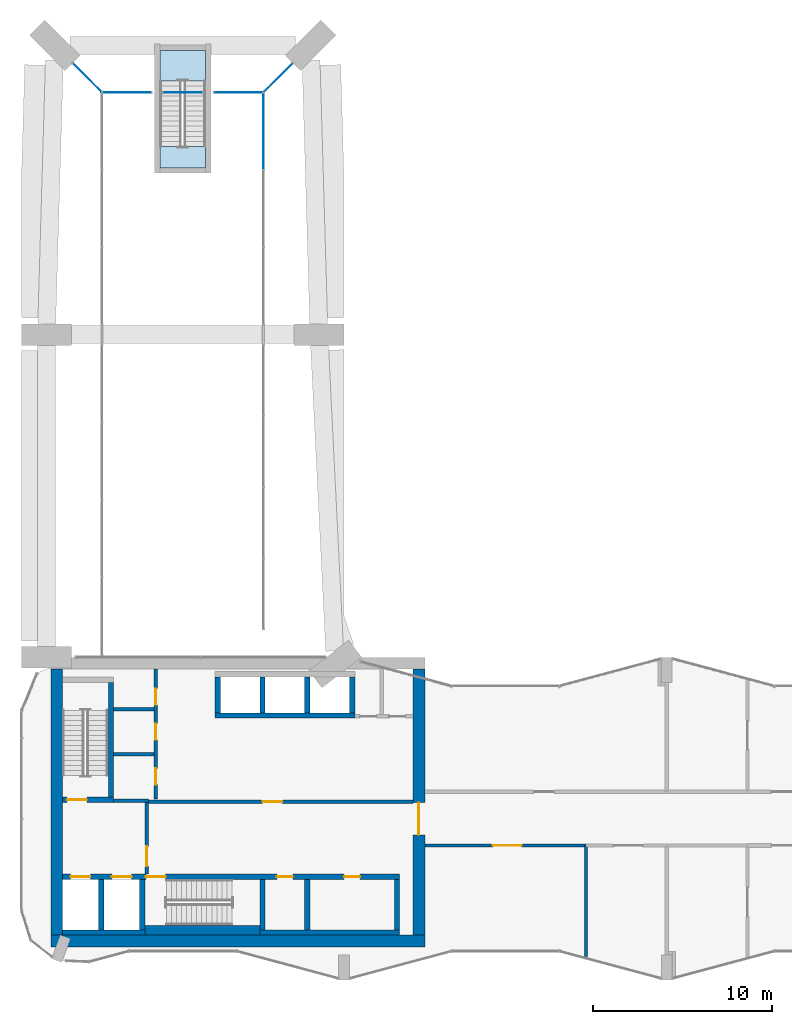
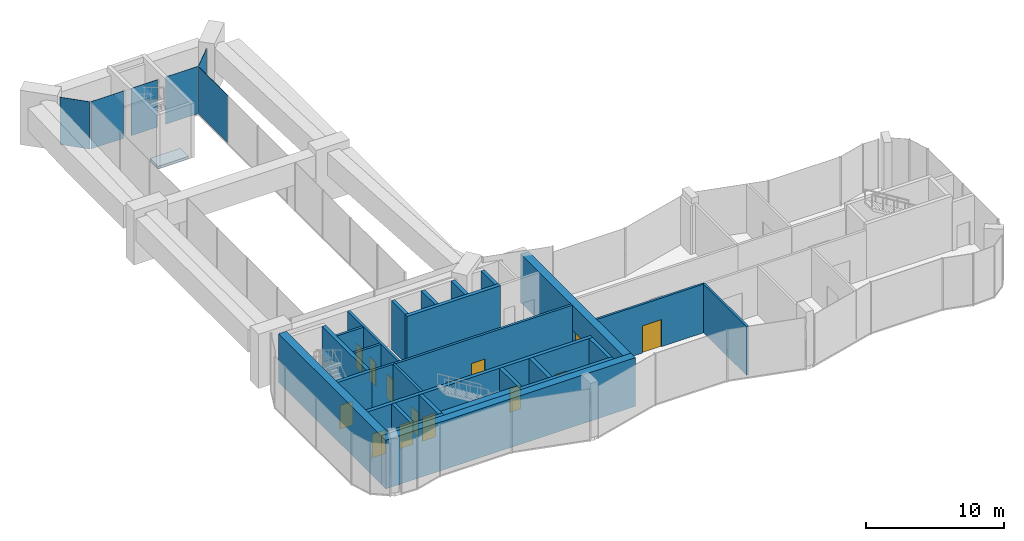
# One storey, part 9 of 13: 27 walls, 13 doors, 6 plates, 2 slabs, 13 openings, 7 elements without a shape of their own.
"""IFC4 building model written with IfcOpenShell, lengths in metres."""

from ifc_helpers import new_model, si_unit, direction, frame, frame_2d, origin, origin_2d, place, context, subcontext, project, spatial, polyline, rectangle, outline, extrude, material, layer, layer_set, type_object, element, fill, aggregate, save


model = new_model("IFC4")

# Units and contexts
model_context = context("Model", 3, precision=1e-05, world=origin(), true_north=direction((0.0, 1.0)))
body_context = subcontext(model_context, "Body", "Model", "MODEL_VIEW")
ifc_project = project(units=[si_unit("LENGTHUNIT", "METRE"), si_unit("AREAUNIT", "SQUARE_METRE"), si_unit("VOLUMEUNIT", "CUBIC_METRE"), si_unit("PLANEANGLEUNIT", "RADIAN"), si_unit("MASSUNIT", "GRAM", prefix="KILO")], contexts=[model_context])

# Site, building, storey
site_placement = place(None, origin())
site = spatial("IfcSite", under=ifc_project, at=site_placement, CompositionType="ELEMENT")
building_placement = place(site_placement, origin())
building = spatial("IfcBuilding", under=site, at=building_placement, Name="Plateau Cross Towers", CompositionType="ELEMENT")
storey_placement = place(building_placement, frame((0.0, 0.0, 134.60009765625)))
storey = spatial("IfcBuildingStorey", under=building, at=storey_placement, Name="L34", CompositionType="ELEMENT", Elevation=134.60009765625)

# Curtain wall, plate
ifc_material_1 = material(Name="Dark low-iron glass", Category="glass")
ifc_layer_1 = layer(ifc_material_1, 0.239990234375)
ifc_layer_set_1 = layer_set([ifc_layer_1], Name="Dark low-iron glass")
curtain_wall_type = type_object("IfcCurtainWallType", Name="Curtain wall flush unitised CW-B", PredefinedType="NOTDEFINED", material=ifc_layer_set_1)
curtain_wall_1_placement = place(storey_placement, origin())
curtain_wall_1 = element("IfcCurtainWall", 1, at=curtain_wall_1_placement, inside=storey, type_object=curtain_wall_type, Name="ENV/A/L34/sky45_495_73_495", PredefinedType="NOTDEFINED")
ifc_layer_2 = layer(ifc_material_1, 0.031982421875)
ifc_layer_set_2 = layer_set([ifc_layer_2], Name="Dark low-iron glass")
plate_type = type_object("IfcPlateType", Name="Glass panel 32 flush unitised", PredefinedType="CURTAIN_PANEL", material=ifc_layer_set_2)
plate_1_placement = place(storey_placement, frame((5.887451171875, 49.5, 0.1201171875), z_axis=(0.0, 0.0, 1.0), x_axis=(1.0, 0.0, 0.0)))
plate_1 = element("IfcPlate", 2, at=plate_1_placement, type_object=plate_type, Name="CW-B panel 1", PredefinedType="CURTAIN_PANEL", context=body_context, shape_type="SweptSolid", body=[
    extrude(rectangle(XDim=2.715087890625, YDim=0.031982421875, at=origin_2d()), origin(), (0.0, 0.0, 1.0), 4.179931640625),
])
aggregate(curtain_wall_1, [plate_1])

curtain_wall_2_placement = place(storey_placement, origin())
curtain_wall_2 = element("IfcCurtainWall", 3, at=curtain_wall_2_placement, inside=storey, type_object=curtain_wall_type, Name="ENV/A/L34/sky79_495_101_495", PredefinedType="NOTDEFINED")
plate_2_placement = place(storey_placement, frame((9.0, 49.5, 0.1201171875), z_axis=(0.0, 0.0, 1.0), x_axis=(1.0, 0.0, 0.0)))
plate_2 = element("IfcPlate", 4, at=plate_2_placement, type_object=plate_type, Name="CW-B panel 1", PredefinedType="CURTAIN_PANEL", context=body_context, shape_type="SweptSolid", body=[
    extrude(rectangle(XDim=2.18994140625, YDim=0.031982421875, at=origin_2d()), origin(), (0.0, 0.0, 1.0), 4.179931640625),
])
aggregate(curtain_wall_2, [plate_2])

curtain_wall_3_placement = place(storey_placement, origin())
curtain_wall_3 = element("IfcCurtainWall", 5, at=curtain_wall_3_placement, inside=storey, type_object=curtain_wall_type, Name="ENV/A/L34/sky107_495_135_495", PredefinedType="NOTDEFINED")
plate_3_placement = place(storey_placement, frame((12.112548828125, 49.5, 0.1201171875), z_axis=(0.0, 0.0, 1.0), x_axis=(1.0, 0.0, 0.0)))
plate_3 = element("IfcPlate", 6, at=plate_3_placement, type_object=plate_type, Name="CW-B panel 1", PredefinedType="CURTAIN_PANEL", context=body_context, shape_type="SweptSolid", body=[
    extrude(rectangle(XDim=2.715087890625, YDim=0.031982421875, at=origin_2d()), origin(), (0.0, 0.0, 1.0), 4.179931640625),
])
aggregate(curtain_wall_3, [plate_3])

curtain_wall_4_placement = place(storey_placement, origin())
curtain_wall_4 = element("IfcCurtainWall", 7, at=curtain_wall_4_placement, inside=storey, type_object=curtain_wall_type, Name="ENV/A/L34/sky135_495_135_366", PredefinedType="NOTDEFINED")
plate_4_placement = place(storey_placement, frame((13.5, 47.34326171875, 0.1201171875), z_axis=(0.0, 0.0, 1.0), x_axis=(0.0, -1.0, 0.0)))
plate_4 = element("IfcPlate", 8, at=plate_4_placement, type_object=plate_type, Name="CW-B panel 1", PredefinedType="CURTAIN_PANEL", context=body_context, shape_type="SweptSolid", body=[
    extrude(rectangle(XDim=4.25341796875, YDim=0.031982421875, at=origin_2d()), origin(), (0.0, 0.0, 1.0), 4.179931640625),
])
aggregate(curtain_wall_4, [plate_4])

curtain_wall_5_placement = place(storey_placement, origin())
curtain_wall_5 = element("IfcCurtainWall", 9, at=curtain_wall_5_placement, inside=storey, type_object=curtain_wall_type, Name="ENV/A/L34/sky151_511_135_495", PredefinedType="NOTDEFINED")
plate_5_placement = place(storey_placement, frame((14.32080078125, 50.32080078125, 0.1201171875), z_axis=(0.0, 0.0, 1.0), x_axis=(-0.707106781187, -0.707106781187, 0.0)))
plate_5 = element("IfcPlate", 10, at=plate_5_placement, type_object=plate_type, Name="CW-B panel 1", PredefinedType="CURTAIN_PANEL", context=body_context, shape_type="SweptSolid", body=[
    extrude(rectangle(XDim=2.26123046875, YDim=0.031982421875, at=origin_2d()), origin(), (0.0, 0.0, 1.0), 4.179931640625),
])
aggregate(curtain_wall_5, [plate_5])

curtain_wall_6_placement = place(storey_placement, origin())
curtain_wall_6 = element("IfcCurtainWall", 11, at=curtain_wall_6_placement, inside=storey, type_object=curtain_wall_type, Name="ENV/A/L34/sky29_511_45_495", PredefinedType="NOTDEFINED")
plate_6_placement = place(storey_placement, frame((3.67919921875, 50.32080078125, 0.1201171875), z_axis=(0.0, 0.0, 1.0), x_axis=(0.707106781187, -0.707106781187, 0.0)))
plate_6 = element("IfcPlate", 12, at=plate_6_placement, type_object=plate_type, Name="CW-B panel 1", PredefinedType="CURTAIN_PANEL", context=body_context, shape_type="SweptSolid", body=[
    extrude(rectangle(XDim=2.26123046875, YDim=0.031982421875, at=origin_2d()), origin(), (0.0, 0.0, 1.0), 4.179931640625),
])
aggregate(curtain_wall_6, [plate_6])

# Stair, slab
ifc_material_2 = material(Name="Concrete C40/50", Category="concrete")
stair_type = type_object("IfcStairType", Name="ST-TWR", PredefinedType="HALF_TURN_STAIR", material=ifc_material_2)
stair_placement = place(storey_placement, origin())
stair = element("IfcStair", 13, at=stair_placement, inside=storey, type_object=stair_type, Name="L34 Protected Exit Stair N", PredefinedType="HALF_TURN_STAIR")
ifc_layer_3 = layer(ifc_material_2, 0.199951171875)
ifc_layer_set_3 = layer_set([ifc_layer_3], Name="Concrete C40/50")
slab_type = type_object("IfcSlabType", Name="SL-LANDING", PredefinedType="LANDING", material=ifc_layer_set_3)
slab_1_placement = place(storey_placement, frame((0.0, 0.0, 2.199951171875)))
slab_1 = element("IfcSlab", 14, at=slab_1_placement, type_object=slab_type, Name="ES-N landing 1", PredefinedType="LANDING", context=body_context, shape_type="SweptSolid", body=[
    extrude(outline(polyline([(10.27490234375, 50.139892578125), (10.27490234375, 51.85009765625), (7.72509765625, 51.85009765625), (7.72509765625, 50.139892578125), (10.27490234375, 50.139892578125)])), origin(), (0.0, 0.0, 1.0), 0.199951171875),
])
aggregate(stair, [slab_1])

# Slab
slab_2_placement = place(storey_placement, frame((0.0, 0.0, -0.2001953125)))
element("IfcSlab", 15, at=slab_2_placement, inside=storey, type_object=slab_type, Name="ES-N floor landing", PredefinedType="LANDING", context=body_context, shape_type="SweptSolid", body=[
    extrude(outline(polyline([(10.27490234375, 45.300048828125), (10.27490234375, 46.5), (7.72509765625, 46.5), (7.72509765625, 45.300048828125), (10.27490234375, 45.300048828125)])), origin(), (0.0, 0.0, 1.0), 0.2001953125),
])

# Wall, opening, door
ifc_material_3 = material(Name="Concrete block, plastered both sides", Category="concrete")
ifc_layer_4 = layer(ifc_material_3, 0.199951171875)
ifc_layer_set_4 = layer_set([ifc_layer_4], Name="Concrete block, plastered both sides")
wall_type_1 = type_object("IfcWallType", Name="Core partition 200", PredefinedType="PARTITIONING", material=ifc_layer_set_4)
wall_1_placement = place(storey_placement, frame((7.0, 5.89990234375, 0.0), z_axis=(0.0, 0.0, 1.0), x_axis=(0.0, 1.0, 0.0)))
wall_1 = element("IfcWall", 16, at=wall_1_placement, inside=storey, type_object=wall_type_1, Name="Core partition", PredefinedType="PARTITIONING", context=body_context, shape_type="SweptSolid", body=[
    extrude(rectangle(XDim=4.0, YDim=0.199951171875, at=frame_2d((2.0, 0.0))), origin(), (0.0, 0.0, 1.0), 4.2998046875),
])
opening_1_placement = place(wall_1_placement, frame((0.449951171875, 0.0, 0.0)))
opening_1 = element("IfcOpeningElement", 17, at=opening_1_placement, cuts=wall_1, Name="Opening FFD", PredefinedType="OPENING", context=body_context, shape_type="SweptSolid", body=[
    extrude(rectangle(XDim=1.10009765625, YDim=2.10009765625, at=frame_2d((0.550048828125, 1.050048828125))), frame((0.0, 0.10986328125, 0.0), z_axis=(0.0, -1.0, 0.0), x_axis=(1.0, 0.0, 0.0)), (0.0, 0.0, 1.0), 0.219970703125),
])
ifc_material_4 = material(Name="Steel, fire-resisting leaf", Category="steel")
door_type_1 = type_object("IfcDoorType", Name="Firefighting lobby door 1100", OperationType="NOTDEFINED", PredefinedType="DOOR", material=ifc_material_4)
door_1_placement = place(opening_1_placement, origin())
door_1 = element("IfcDoor", 18, at=door_1_placement, inside=storey, type_object=door_type_1, Name="Firefighting lobby door FFD", OperationType="SINGLE_SWING_LEFT", OverallHeight=2.10009765625, OverallWidth=1.10009765625, PredefinedType="DOOR", context=body_context, shape_type="SweptSolid", body=[
    extrude(rectangle(XDim=1.10009765625, YDim=2.10009765625, at=frame_2d((0.550048828125, 1.050048828125))), frame((0.0, 0.02490234375, 0.0), z_axis=(0.0, -1.0, 0.0), x_axis=(1.0, 0.0, 0.0)), (0.0, 0.0, 1.0), 0.050048828125),
])
fill(opening_1, door_1)

# Wall
wall_2_placement = place(storey_placement, frame((5.14990234375, 10.0, 0.0), z_axis=(0.0, 0.0, 1.0), x_axis=(1.0, 0.0, 0.0)))
element("IfcWall", 19, at=wall_2_placement, inside=storey, type_object=wall_type_1, Name="Core partition", PredefinedType="PARTITIONING", context=body_context, shape_type="SweptSolid", body=[
    extrude(rectangle(XDim=1.9501953125, YDim=0.199951171875, at=frame_2d((0.97509765625, 0.0))), origin(), (0.0, 0.0, 1.0), 4.2998046875),
])

# Wall, opening, door
wall_3_placement = place(storey_placement, frame((7.10009765625, 9.949951171875, 0.0), z_axis=(0.0, 0.0, 1.0), x_axis=(1.0, 0.0, 0.0)))
wall_3 = element("IfcWall", 20, at=wall_3_placement, inside=storey, type_object=wall_type_1, Name="Core partition", PredefinedType="PARTITIONING", context=body_context, shape_type="SweptSolid", body=[
    extrude(rectangle(XDim=14.75, YDim=0.199951171875, at=frame_2d((7.375, 0.0))), origin(), (0.0, 0.0, 1.0), 4.2998046875),
])
opening_2_placement = place(wall_3_placement, frame((6.35009765625, 0.0, 0.0)))
opening_2 = element("IfcOpeningElement", 21, at=opening_2_placement, cuts=wall_3, Name="Opening PD", PredefinedType="OPENING", context=body_context, shape_type="SweptSolid", body=[
    extrude(rectangle(XDim=1.10009765625, YDim=2.10009765625, at=frame_2d((0.550048828125, 1.050048828125))), frame((0.0, 0.10986328125, 0.0), z_axis=(0.0, -1.0, 0.0), x_axis=(1.0, 0.0, 0.0)), (0.0, 0.0, 1.0), 0.219970703125),
])
door_type_2 = type_object("IfcDoorType", Name="Plant room door 1100", OperationType="NOTDEFINED", PredefinedType="DOOR", material=ifc_material_4)
door_2_placement = place(opening_2_placement, origin())
door_2 = element("IfcDoor", 22, at=door_2_placement, inside=storey, type_object=door_type_2, Name="Plant room door PD", OperationType="SINGLE_SWING_LEFT", OverallHeight=2.10009765625, OverallWidth=1.10009765625, PredefinedType="DOOR", context=body_context, shape_type="SweptSolid", body=[
    extrude(rectangle(XDim=1.10009765625, YDim=2.10009765625, at=frame_2d((0.550048828125, 1.050048828125))), frame((0.0, 0.02490234375, 0.0), z_axis=(0.0, -1.0, 0.0), x_axis=(1.0, 0.0, 0.0)), (0.0, 0.0, 1.0), 0.050048828125),
])
fill(opening_2, door_2)

# Wall, openings, doors
wall_4_placement = place(storey_placement, frame((7.5, 10.10009765625, 0.0), z_axis=(0.0, 0.0, 1.0), x_axis=(0.0, 1.0, 0.0)))
wall_4 = element("IfcWall", 23, at=wall_4_placement, inside=storey, type_object=wall_type_1, Name="Core partition", PredefinedType="PARTITIONING", context=body_context, shape_type="SweptSolid", body=[
    extrude(rectangle(XDim=7.25, YDim=0.199951171875, at=frame_2d((3.625, 0.0))), origin(), (0.0, 0.0, 1.0), 4.2998046875),
])
opening_3_placement = place(wall_4_placement, frame((0.800048828125, 0.0, 0.0)))
opening_3 = element("IfcOpeningElement", 24, at=opening_3_placement, cuts=wall_4, Name="Opening RD1", PredefinedType="OPENING", context=body_context, shape_type="SweptSolid", body=[
    extrude(rectangle(XDim=0.89990234375, YDim=2.10009765625, at=frame_2d((0.449951171875, 1.050048828125))), frame((0.0, 0.10986328125, 0.0), z_axis=(0.0, -1.0, 0.0), x_axis=(1.0, 0.0, 0.0)), (0.0, 0.0, 1.0), 0.219970703125),
])
opening_4_placement = place(wall_4_placement, frame((3.300048828125, 0.0, 0.0)))
opening_4 = element("IfcOpeningElement", 25, at=opening_4_placement, cuts=wall_4, Name="Opening RD1", PredefinedType="OPENING", context=body_context, shape_type="SweptSolid", body=[
    extrude(rectangle(XDim=0.89990234375, YDim=2.10009765625, at=frame_2d((0.449951171875, 1.050048828125))), frame((0.0, 0.10986328125, 0.0), z_axis=(0.0, -1.0, 0.0), x_axis=(1.0, 0.0, 0.0)), (0.0, 0.0, 1.0), 0.219970703125),
])
opening_5_placement = place(wall_4_placement, frame((5.25, 0.0, 0.0)))
opening_5 = element("IfcOpeningElement", 26, at=opening_5_placement, cuts=wall_4, Name="Opening RD1", PredefinedType="OPENING", context=body_context, shape_type="SweptSolid", body=[
    extrude(rectangle(XDim=0.89990234375, YDim=2.10009765625, at=frame_2d((0.449951171875, 1.050048828125))), frame((0.0, 0.10986328125, 0.0), z_axis=(0.0, -1.0, 0.0), x_axis=(1.0, 0.0, 0.0)), (0.0, 0.0, 1.0), 0.219970703125),
])
ifc_material_5 = material(Name="Timber, fire-resisting leaf", Category="wood")
door_type_3 = type_object("IfcDoorType", Name="Core service door 900", OperationType="NOTDEFINED", PredefinedType="DOOR", material=ifc_material_5)
door_3_placement = place(opening_3_placement, origin())
door_3 = element("IfcDoor", 27, at=door_3_placement, inside=storey, type_object=door_type_3, Name="Core service door RD1", OperationType="SINGLE_SWING_RIGHT", OverallHeight=2.10009765625, OverallWidth=0.89990234375, PredefinedType="DOOR", context=body_context, shape_type="SweptSolid", body=[
    extrude(rectangle(XDim=0.89990234375, YDim=2.10009765625, at=frame_2d((0.449951171875, 1.050048828125))), frame((0.0, 0.02490234375, 0.0), z_axis=(0.0, -1.0, 0.0), x_axis=(1.0, 0.0, 0.0)), (0.0, 0.0, 1.0), 0.050048828125),
])
fill(opening_3, door_3)
door_4_placement = place(opening_4_placement, origin())
door_4 = element("IfcDoor", 28, at=door_4_placement, inside=storey, type_object=door_type_3, Name="Core service door RD1", OperationType="SINGLE_SWING_RIGHT", OverallHeight=2.10009765625, OverallWidth=0.89990234375, PredefinedType="DOOR", context=body_context, shape_type="SweptSolid", body=[
    extrude(rectangle(XDim=0.89990234375, YDim=2.10009765625, at=frame_2d((0.449951171875, 1.050048828125))), frame((0.0, 0.02490234375, 0.0), z_axis=(0.0, -1.0, 0.0), x_axis=(1.0, 0.0, 0.0)), (0.0, 0.0, 1.0), 0.050048828125),
])
fill(opening_4, door_4)
door_5_placement = place(opening_5_placement, origin())
door_5 = element("IfcDoor", 29, at=door_5_placement, inside=storey, type_object=door_type_3, Name="Core service door RD1", OperationType="SINGLE_SWING_RIGHT", OverallHeight=2.10009765625, OverallWidth=0.89990234375, PredefinedType="DOOR", context=body_context, shape_type="SweptSolid", body=[
    extrude(rectangle(XDim=0.89990234375, YDim=2.10009765625, at=frame_2d((0.449951171875, 1.050048828125))), frame((0.0, 0.02490234375, 0.0), z_axis=(0.0, -1.0, 0.0), x_axis=(1.0, 0.0, 0.0)), (0.0, 0.0, 1.0), 0.050048828125),
])
fill(opening_5, door_5)

# Walls
for number, where, z_axis, x_axis, name in (
    (30, (5.14990234375, 12.60009765625, 0.0), (0.0, 0.0, 1.0), (1.0, 0.0, 0.0), "Core partition"),
    (31, (5.14990234375, 15.10009765625, 0.0), (0.0, 0.0, 1.0), (1.0, 0.0, 0.0), "Core partition"),
):
    element("IfcWall", number, at=place(storey_placement, frame(where, z_axis=z_axis, x_axis=x_axis)), inside=storey, type_object=wall_type_1, Name=name, PredefinedType="PARTITIONING", context=body_context, shape_type="SweptSolid", body=[
        extrude(rectangle(XDim=2.25, YDim=0.199951171875, at=frame_2d((1.125, 0.0))), origin(), (0.0, 0.0, 1.0), 4.2998046875),
    ])
ifc_material_6 = material(Name="Concrete C60/75", Category="concrete")
ifc_layer_5 = layer(ifc_material_6, 0.300048828125)
ifc_layer_set_5 = layer_set([ifc_layer_5], Name="Concrete C60/75")
wall_type_2 = type_object("IfcWallType", Name="Core shaft wall 300", PredefinedType="SHEAR", material=ifc_layer_set_5)
wall_5_placement = place(storey_placement, frame((2.300048828125, 2.64990234375, 0.0), z_axis=(0.0, 0.0, 1.0), x_axis=(1.0, 0.0, 0.0)))
element("IfcWall", 32, at=wall_5_placement, inside=storey, type_object=wall_type_2, Name="A-sb-back1@L34", PredefinedType="SHEAR", context=body_context, shape_type="SweptSolid", body=[
    extrude(rectangle(XDim=4.599853515625, YDim=0.300048828125, at=frame_2d((2.2998046875, 0.0))), origin(), (0.0, 0.0, 1.0), 4.2998046875),
])
wall_6_placement = place(storey_placement, frame((13.300048828125, 2.64990234375, 0.0), z_axis=(0.0, 0.0, 1.0), x_axis=(1.0, 0.0, 0.0)))
element("IfcWall", 33, at=wall_6_placement, inside=storey, type_object=wall_type_2, Name="A-sb-back3@L34", PredefinedType="SHEAR", context=body_context, shape_type="SweptSolid", body=[
    extrude(rectangle(XDim=7.800048828125, YDim=0.300048828125, at=frame_2d((3.89990234375, 0.0))), origin(), (0.0, 0.0, 1.0), 4.2998046875),
])
for number, where, z_axis, x_axis, name in (
    (34, (4.449951171875, 2.800048828125, 0.0), (0.0, 0.0, 1.0), (0.0, 1.0, 0.0), "A-sb-v1@L34"),
    (35, (6.75, 2.800048828125, 0.0), (0.0, 0.0, 1.0), (0.0, 1.0, 0.0), "A-sb-v2@L34"),
    (36, (13.449951171875, 2.800048828125, 0.0), (0.0, 0.0, 1.0), (0.0, 1.0, 0.0), "A-sb-v3@L34"),
    (37, (15.949951171875, 2.800048828125, 0.0), (0.0, 0.0, 1.0), (0.0, 1.0, 0.0), "A-sb-v4@L34"),
    (38, (20.949951171875, 2.800048828125, 0.0), (0.0, 0.0, 1.0), (0.0, 1.0, 0.0), "A-sb-v6@L34"),
):
    element("IfcWall", number, at=place(storey_placement, frame(where, z_axis=z_axis, x_axis=x_axis)), inside=storey, type_object=wall_type_2, Name=name, PredefinedType="SHEAR", context=body_context, shape_type="SweptSolid", body=[
        extrude(rectangle(XDim=2.800048828125, YDim=0.300048828125, at=frame_2d((1.39990234375, 0.0))), origin(), (0.0, 0.0, 1.0), 4.2998046875),
    ])

# Wall, openings, doors
wall_7_placement = place(storey_placement, frame((2.300048828125, 5.75, 0.0), z_axis=(0.0, 0.0, 1.0), x_axis=(1.0, 0.0, 0.0)))
wall_7 = element("IfcWall", 39, at=wall_7_placement, inside=storey, type_object=wall_type_2, Name="A-sb-front@L34", PredefinedType="SHEAR", context=body_context, shape_type="SweptSolid", body=[
    extrude(rectangle(XDim=18.800048828125, YDim=0.300048828125, at=frame_2d((9.39990234375, 0.0))), origin(), (0.0, 0.0, 1.0), 4.2998046875),
])
opening_6_placement = place(wall_7_placement, frame((4.64990234375, 0.0, 0.0)))
opening_6 = element("IfcOpeningElement", 40, at=opening_6_placement, cuts=wall_7, Name="Opening SD", PredefinedType="OPENING", context=body_context, shape_type="SweptSolid", body=[
    extrude(rectangle(XDim=1.10009765625, YDim=2.10009765625, at=frame_2d((0.550048828125, 1.050048828125))), frame((0.0, 0.159912109375, 0.0), z_axis=(0.0, -1.0, 0.0), x_axis=(1.0, 0.0, 0.0)), (0.0, 0.0, 1.0), 0.320068359375),
])
opening_7_placement = place(wall_7_placement, frame((0.449951171875, 0.0, 0.0)))
opening_7 = element("IfcOpeningElement", 41, at=opening_7_placement, cuts=wall_7, Name="Opening LD", PredefinedType="OPENING", context=body_context, shape_type="SweptSolid", body=[
    extrude(rectangle(XDim=1.10009765625, YDim=2.10009765625, at=frame_2d((0.550048828125, 1.050048828125))), frame((0.0, 0.159912109375, 0.0), z_axis=(0.0, -1.0, 0.0), x_axis=(1.0, 0.0, 0.0)), (0.0, 0.0, 1.0), 0.320068359375),
])
opening_8_placement = place(wall_7_placement, frame((2.75, 0.0, 0.0)))
opening_8 = element("IfcOpeningElement", 42, at=opening_8_placement, cuts=wall_7, Name="Opening LD", PredefinedType="OPENING", context=body_context, shape_type="SweptSolid", body=[
    extrude(rectangle(XDim=1.10009765625, YDim=2.10009765625, at=frame_2d((0.550048828125, 1.050048828125))), frame((0.0, 0.159912109375, 0.0), z_axis=(0.0, -1.0, 0.0), x_axis=(1.0, 0.0, 0.0)), (0.0, 0.0, 1.0), 0.320068359375),
])
opening_9_placement = place(wall_7_placement, frame((11.949951171875, 0.0, 0.0)))
opening_9 = element("IfcOpeningElement", 43, at=opening_9_placement, cuts=wall_7, Name="Opening RD2", PredefinedType="OPENING", context=body_context, shape_type="SweptSolid", body=[
    extrude(rectangle(XDim=0.89990234375, YDim=2.10009765625, at=frame_2d((0.449951171875, 1.050048828125))), frame((0.0, 0.159912109375, 0.0), z_axis=(0.0, -1.0, 0.0), x_axis=(1.0, 0.0, 0.0)), (0.0, 0.0, 1.0), 0.320068359375),
])
opening_10_placement = place(wall_7_placement, frame((15.699951171875, 0.0, 0.0)))
opening_10 = element("IfcOpeningElement", 44, at=opening_10_placement, cuts=wall_7, Name="Opening RD2", PredefinedType="OPENING", context=body_context, shape_type="SweptSolid", body=[
    extrude(rectangle(XDim=0.89990234375, YDim=2.10009765625, at=frame_2d((0.449951171875, 1.050048828125))), frame((0.0, 0.159912109375, 0.0), z_axis=(0.0, -1.0, 0.0), x_axis=(1.0, 0.0, 0.0)), (0.0, 0.0, 1.0), 0.320068359375),
])
door_type_4 = type_object("IfcDoorType", Name="Core riser door 900", OperationType="NOTDEFINED", PredefinedType="DOOR", material=ifc_material_4)
door_6_placement = place(opening_9_placement, origin())
door_6 = element("IfcDoor", 45, at=door_6_placement, inside=storey, type_object=door_type_4, Name="Core riser door RD2", OperationType="SINGLE_SWING_LEFT", OverallHeight=2.10009765625, OverallWidth=0.89990234375, PredefinedType="DOOR", context=body_context, shape_type="SweptSolid", body=[
    extrude(rectangle(XDim=0.89990234375, YDim=2.10009765625, at=frame_2d((0.449951171875, 1.050048828125))), frame((0.0, 0.02490234375, 0.0), z_axis=(0.0, -1.0, 0.0), x_axis=(1.0, 0.0, 0.0)), (0.0, 0.0, 1.0), 0.050048828125),
])
fill(opening_9, door_6)
door_7_placement = place(opening_10_placement, origin())
door_7 = element("IfcDoor", 46, at=door_7_placement, inside=storey, type_object=door_type_4, Name="Core riser door RD2", OperationType="SINGLE_SWING_LEFT", OverallHeight=2.10009765625, OverallWidth=0.89990234375, PredefinedType="DOOR", context=body_context, shape_type="SweptSolid", body=[
    extrude(rectangle(XDim=0.89990234375, YDim=2.10009765625, at=frame_2d((0.449951171875, 1.050048828125))), frame((0.0, 0.02490234375, 0.0), z_axis=(0.0, -1.0, 0.0), x_axis=(1.0, 0.0, 0.0)), (0.0, 0.0, 1.0), 0.050048828125),
])
fill(opening_10, door_7)
ifc_material_7 = material(Name="Stainless steel, fire-resisting sliding leaves", Category="steel")
door_type_5 = type_object("IfcDoorType", Name="Lift landing door 1100", OperationType="NOTDEFINED", PredefinedType="DOOR", material=ifc_material_7)
door_8_placement = place(opening_7_placement, origin())
door_8 = element("IfcDoor", 47, at=door_8_placement, inside=storey, type_object=door_type_5, Name="Lift landing door LD", OperationType="DOUBLE_DOOR_SLIDING", OverallHeight=2.10009765625, OverallWidth=1.10009765625, PredefinedType="DOOR", context=body_context, shape_type="SweptSolid", body=[
    extrude(rectangle(XDim=1.10009765625, YDim=2.10009765625, at=frame_2d((0.550048828125, 1.050048828125))), frame((0.0, 0.02490234375, 0.0), z_axis=(0.0, -1.0, 0.0), x_axis=(1.0, 0.0, 0.0)), (0.0, 0.0, 1.0), 0.050048828125),
])
fill(opening_7, door_8)
door_9_placement = place(opening_8_placement, origin())
door_9 = element("IfcDoor", 48, at=door_9_placement, inside=storey, type_object=door_type_5, Name="Lift landing door LD", OperationType="DOUBLE_DOOR_SLIDING", OverallHeight=2.10009765625, OverallWidth=1.10009765625, PredefinedType="DOOR", context=body_context, shape_type="SweptSolid", body=[
    extrude(rectangle(XDim=1.10009765625, YDim=2.10009765625, at=frame_2d((0.550048828125, 1.050048828125))), frame((0.0, 0.02490234375, 0.0), z_axis=(0.0, -1.0, 0.0), x_axis=(1.0, 0.0, 0.0)), (0.0, 0.0, 1.0), 0.050048828125),
])
fill(opening_8, door_9)
door_type_6 = type_object("IfcDoorType", Name="Stair door 1100", OperationType="NOTDEFINED", PredefinedType="DOOR", material=ifc_material_4)
door_10_placement = place(opening_6_placement, origin())
door_10 = element("IfcDoor", 49, at=door_10_placement, inside=storey, type_object=door_type_6, Name="Stair door SD", OperationType="SINGLE_SWING_LEFT", OverallHeight=2.10009765625, OverallWidth=1.10009765625, PredefinedType="DOOR", context=body_context, shape_type="SweptSolid", body=[
    extrude(rectangle(XDim=1.10009765625, YDim=2.10009765625, at=frame_2d((0.550048828125, 1.050048828125))), frame((0.0, 0.02490234375, 0.0), z_axis=(0.0, -1.0, 0.0), x_axis=(1.0, 0.0, 0.0)), (0.0, 0.0, 1.0), 0.050048828125),
])
fill(opening_6, door_10)

# Wall, opening, door
wall_8_placement = place(storey_placement, frame((2.300048828125, 10.050048828125, 0.0), z_axis=(0.0, 0.0, 1.0), x_axis=(1.0, 0.0, 0.0)))
wall_8 = element("IfcWall", 50, at=wall_8_placement, inside=storey, type_object=wall_type_2, Name="A-st1-S@L34", PredefinedType="SHEAR", context=body_context, shape_type="SweptSolid", body=[
    extrude(rectangle(XDim=2.849853515625, YDim=0.300048828125, at=frame_2d((1.4248046875, 0.0))), origin(), (0.0, 0.0, 1.0), 4.2998046875),
])
opening_11_placement = place(wall_8_placement, frame((0.25, 0.0, 0.0)))
opening_11 = element("IfcOpeningElement", 51, at=opening_11_placement, cuts=wall_8, Name="Opening SD", PredefinedType="OPENING", context=body_context, shape_type="SweptSolid", body=[
    extrude(rectangle(XDim=1.10009765625, YDim=2.10009765625, at=frame_2d((0.550048828125, 1.050048828125))), frame((0.0, 0.159912109375, 0.0), z_axis=(0.0, -1.0, 0.0), x_axis=(1.0, 0.0, 0.0)), (0.0, 0.0, 1.0), 0.320068359375),
])
door_11_placement = place(opening_11_placement, origin())
door_11 = element("IfcDoor", 52, at=door_11_placement, inside=storey, type_object=door_type_6, Name="Stair door SD", OperationType="SINGLE_SWING_RIGHT", OverallHeight=2.10009765625, OverallWidth=1.10009765625, PredefinedType="DOOR", context=body_context, shape_type="SweptSolid", body=[
    extrude(rectangle(XDim=1.10009765625, YDim=2.10009765625, at=frame_2d((0.550048828125, 1.050048828125))), frame((0.0, 0.02490234375, 0.0), z_axis=(0.0, -1.0, 0.0), x_axis=(1.0, 0.0, 0.0)), (0.0, 0.0, 1.0), 0.050048828125),
])
fill(opening_11, door_11)

# Walls
wall_9_placement = place(storey_placement, frame((5.0, 10.199951171875, 0.0), z_axis=(0.0, 0.0, 1.0), x_axis=(0.0, 1.0, 0.0)))
element("IfcWall", 53, at=wall_9_placement, inside=storey, type_object=wall_type_2, Name="A-st1-E@L34", PredefinedType="SHEAR", context=body_context, shape_type="SweptSolid", body=[
    extrude(rectangle(XDim=6.400146484375, YDim=0.300048828125, at=frame_2d((3.2001953125, 0.0))), origin(), (0.0, 0.0, 1.0), 4.2998046875),
])
wall_10_placement = place(storey_placement, frame((10.800048828125, 14.75, 0.0), z_axis=(0.0, 0.0, 1.0), x_axis=(1.0, 0.0, 0.0)))
element("IfcWall", 54, at=wall_10_placement, inside=storey, type_object=wall_type_2, Name="A-nb-front@L34", PredefinedType="SHEAR", context=body_context, shape_type="SweptSolid", body=[
    extrude(rectangle(XDim=7.800048828125, YDim=0.300048828125, at=frame_2d((3.89990234375, 0.0))), origin(), (0.0, 0.0, 1.0), 4.2998046875),
])
for number, where, z_axis, x_axis, name in (
    (55, (10.949951171875, 14.89990234375, 0.0), (0.0, 0.0, 1.0), (0.0, 1.0, 0.0), "A-nb-v1@L34"),
    (56, (13.449951171875, 14.89990234375, 0.0), (0.0, 0.0, 1.0), (0.0, 1.0, 0.0), "A-nb-v2@L34"),
    (57, (15.949951171875, 14.89990234375, 0.0), (0.0, 0.0, 1.0), (0.0, 1.0, 0.0), "A-nb-v3@L34"),
    (58, (18.449951171875, 14.89990234375, 0.0), (0.0, 0.0, 1.0), (0.0, 1.0, 0.0), "A-nb-v4@L34"),
):
    element("IfcWall", number, at=place(storey_placement, frame(where, z_axis=z_axis, x_axis=x_axis)), inside=storey, type_object=wall_type_2, Name=name, PredefinedType="SHEAR", context=body_context, shape_type="SweptSolid", body=[
        extrude(rectangle(XDim=2.0, YDim=0.300048828125, at=frame_2d((1.0, 0.0))), origin(), (0.0, 0.0, 1.0), 4.2998046875),
    ])
ifc_layer_6 = layer(ifc_material_6, 0.550048828125)
ifc_layer_set_6 = layer_set([ifc_layer_6], Name="Concrete C60/75")
wall_type_3 = type_object("IfcWallType", Name="Core shaft wall 550", PredefinedType="SHEAR", material=ifc_layer_set_6)
wall_11_placement = place(storey_placement, frame((6.89990234375, 2.77490234375, 0.0), z_axis=(0.0, 0.0, 1.0), x_axis=(1.0, 0.0, 0.0)))
element("IfcWall", 59, at=wall_11_placement, inside=storey, type_object=wall_type_3, Name="A-sb-back2@L34", PredefinedType="SHEAR", context=body_context, shape_type="SweptSolid", body=[
    extrude(rectangle(XDim=6.400146484375, YDim=0.550048828125, at=frame_2d((3.2001953125, 0.0))), origin(), (0.0, 0.0, 1.0), 4.2998046875),
])
ifc_layer_7 = layer(ifc_material_6, 0.64990234375)
ifc_layer_set_7 = layer_set([ifc_layer_7], Name="Concrete C60/75")
wall_type_4 = type_object("IfcWallType", Name="Core shell wall 650", PredefinedType="SHEAR", material=ifc_layer_set_7)
wall_12_placement = place(storey_placement, frame((1.64990234375, 2.175048828125, 0.0), z_axis=(0.0, 0.0, 1.0), x_axis=(1.0, 0.0, 0.0)))
element("IfcWall", 60, at=wall_12_placement, inside=storey, type_object=wall_type_4, Name="A-core-S@L34", PredefinedType="SHEAR", context=body_context, shape_type="SweptSolid", body=[
    extrude(rectangle(XDim=20.85009765625, YDim=0.64990234375, at=frame_2d((10.425048828125, 0.0))), origin(), (0.0, 0.0, 1.0), 4.2998046875),
])
wall_13_placement = place(storey_placement, frame((1.97509765625, 2.5, 0.0), z_axis=(0.0, 0.0, 1.0), x_axis=(0.0, 1.0, 0.0)))
element("IfcWall", 61, at=wall_13_placement, inside=storey, type_object=wall_type_4, Name="A-core-W@L34", PredefinedType="SHEAR", context=body_context, shape_type="SweptSolid", body=[
    extrude(rectangle(XDim=14.85009765625, YDim=0.64990234375, at=frame_2d((7.425048828125, 0.0))), origin(), (0.0, 0.0, 1.0), 4.2998046875),
])

# Wall, opening, door
wall_14_placement = place(storey_placement, frame((22.175048828125, 2.5, 0.0), z_axis=(0.0, 0.0, 1.0), x_axis=(0.0, 1.0, 0.0)))
wall_14 = element("IfcWall", 62, at=wall_14_placement, inside=storey, type_object=wall_type_4, Name="A-core-E@L34", PredefinedType="SHEAR", context=body_context, shape_type="SweptSolid", body=[
    extrude(rectangle(XDim=14.85009765625, YDim=0.64990234375, at=frame_2d((7.425048828125, 0.0))), origin(), (0.0, 0.0, 1.0), 4.2998046875),
])
opening_12_placement = place(wall_14_placement, frame((5.60009765625, 0.0, 0.0)))
opening_12 = element("IfcOpeningElement", 63, at=opening_12_placement, cuts=wall_14, Name="Opening CD", PredefinedType="OPENING", context=body_context, shape_type="SweptSolid", body=[
    extrude(rectangle(XDim=1.800048828125, YDim=2.10009765625, at=frame_2d((0.89990234375, 1.050048828125))), frame((0.0, 0.3349609375, 0.0), z_axis=(0.0, -1.0, 0.0), x_axis=(1.0, 0.0, 0.0)), (0.0, 0.0, 1.0), 0.669921875),
])
ifc_material_8 = material(Name="Steel, fire-resisting leaves", Category="steel")
door_type_7 = type_object("IfcDoorType", Name="Corridor door pair 1800", OperationType="NOTDEFINED", PredefinedType="DOOR", material=ifc_material_8)
door_12_placement = place(opening_12_placement, origin())
door_12 = element("IfcDoor", 64, at=door_12_placement, inside=storey, type_object=door_type_7, Name="Corridor door pair CD", OperationType="DOUBLE_DOOR_SINGLE_SWING", OverallHeight=2.10009765625, OverallWidth=1.800048828125, PredefinedType="DOOR", context=body_context, shape_type="SweptSolid", body=[
    extrude(rectangle(XDim=1.800048828125, YDim=2.10009765625, at=frame_2d((0.89990234375, 1.050048828125))), frame((0.0, 0.02490234375, 0.0), z_axis=(0.0, -1.0, 0.0), x_axis=(1.0, 0.0, 0.0)), (0.0, 0.0, 1.0), 0.050048828125),
])
fill(opening_12, door_12)

ifc_material_9 = material(Name="Dense masonry block, plastered, acoustic lining", Category="masonry")
ifc_layer_8 = layer(ifc_material_9, 0.179931640625)
ifc_layer_set_8 = layer_set([ifc_layer_8], Name="Dense masonry block, plastered, acoustic lining")
wall_type_5 = type_object("IfcWallType", Name="Plant room acoustic wall 180", PredefinedType="PARTITIONING", material=ifc_layer_set_8)
wall_15_placement = place(storey_placement, frame((31.5, 7.5, 0.0), z_axis=(0.0, 0.0, 1.0), x_axis=(-1.0, 0.0, 0.0)))
wall_15 = element("IfcWall", 65, at=wall_15_placement, inside=storey, type_object=wall_type_5, Name="Partition wall", PredefinedType="PARTITIONING", context=body_context, shape_type="SweptSolid", body=[
    extrude(rectangle(XDim=9.0, YDim=0.179931640625, at=frame_2d((4.5, 0.0))), origin(), (0.0, 0.0, 1.0), 4.2998046875),
])
opening_13_placement = place(wall_15_placement, frame((3.60009765625, 0.0, 0.0)))
opening_13 = element("IfcOpeningElement", 66, at=opening_13_placement, cuts=wall_15, Name="Opening 34-01", PredefinedType="OPENING", context=body_context, shape_type="SweptSolid", body=[
    extrude(rectangle(XDim=1.60009765625, YDim=2.39990234375, at=frame_2d((0.800048828125, 1.199951171875))), frame((0.0, 0.099853515625, 0.0), z_axis=(0.0, -1.0, 0.0), x_axis=(1.0, 0.0, 0.0)), (0.0, 0.0, 1.0), 0.199951171875),
])
ifc_material_10 = material(Name="Steel, fire-resisting double leaf with louvre panel", Category="steel")
door_type_8 = type_object("IfcDoorType", Name="Plant room double door 1600x2400", OperationType="NOTDEFINED", PredefinedType="DOOR", material=ifc_material_10)
door_13_placement = place(opening_13_placement, origin())
door_13 = element("IfcDoor", 67, at=door_13_placement, inside=storey, type_object=door_type_8, Name="Door 34-01", OperationType="SINGLE_SWING_LEFT", OverallHeight=2.39990234375, OverallWidth=1.60009765625, PredefinedType="DOOR", context=body_context, shape_type="SweptSolid", body=[
    extrude(rectangle(XDim=1.60009765625, YDim=2.39990234375, at=frame_2d((0.800048828125, 1.199951171875))), frame((0.0, 0.02490234375, 0.0), z_axis=(0.0, -1.0, 0.0), x_axis=(1.0, 0.0, 0.0)), (0.0, 0.0, 1.0), 0.050048828125),
])
fill(opening_13, door_13)

# Wall
wall_16_placement = place(storey_placement, frame((31.5, 7.5, 0.0), z_axis=(0.0, 0.0, 1.0), x_axis=(0.0, -1.0, 0.0)))
element("IfcWall", 68, at=wall_16_placement, inside=storey, type_object=wall_type_5, Name="Partition wall", PredefinedType="PARTITIONING", context=body_context, shape_type="SweptSolid", body=[
    extrude(rectangle(XDim=6.294921875, YDim=0.179931640625, at=frame_2d((3.1474609375, 0.0))), origin(), (0.0, 0.0, 1.0), 4.2998046875),
])

save(model, "model.ifc")
